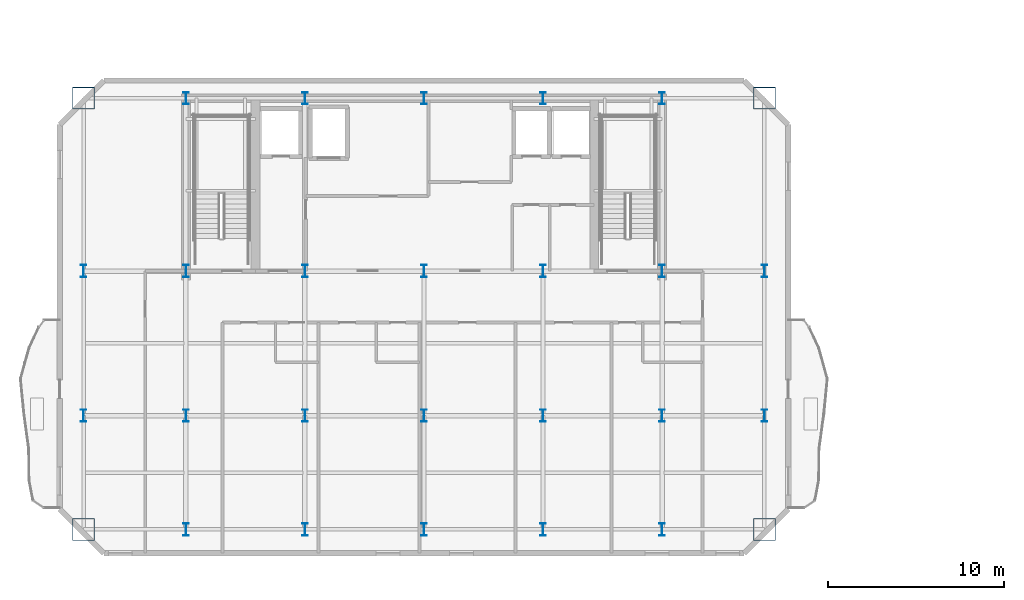
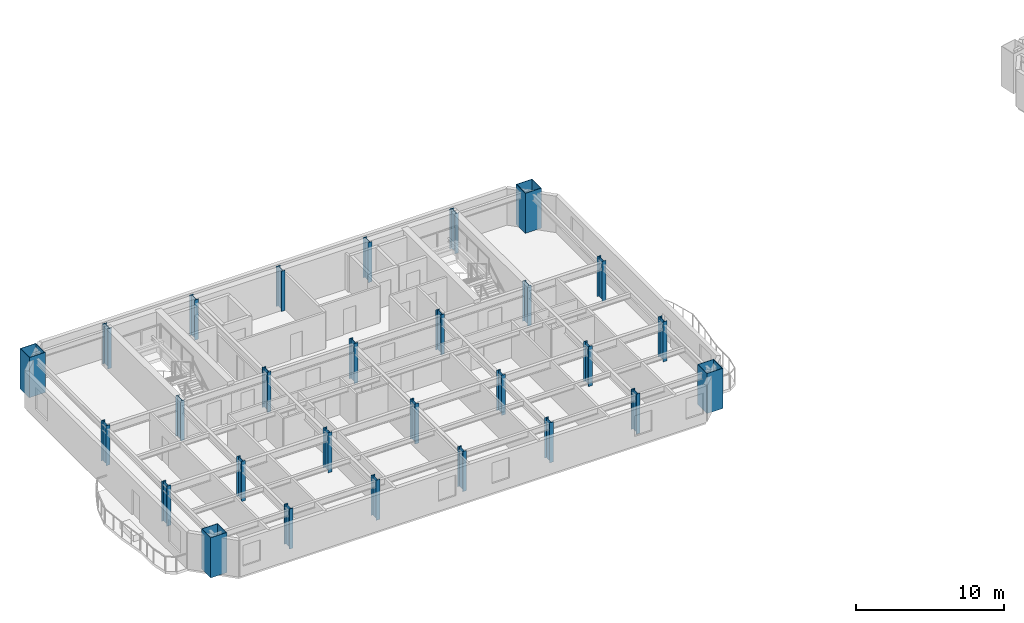
# One storey, part 1 of 13: 28 columns.
"""IFC4 building model written with IfcOpenShell, lengths in metres."""

from ifc_helpers import new_model, si_unit, direction, frame, origin, origin_2d, place, context, subcontext, project, spatial, hollow_rectangle, i_section, extrude, material, material_profile, profile_set, type_object, element, save


model = new_model("IFC4")

# Units and contexts
model_context = context("Model", 3, precision=1e-05, world=origin(), true_north=direction((0.0, 1.0)))
body_context = subcontext(model_context, "Body", "Model", "MODEL_VIEW")
ifc_project = project(units=[si_unit("LENGTHUNIT", "METRE"), si_unit("AREAUNIT", "SQUARE_METRE"), si_unit("VOLUMEUNIT", "CUBIC_METRE"), si_unit("PLANEANGLEUNIT", "RADIAN"), si_unit("MASSUNIT", "GRAM", prefix="KILO")], contexts=[model_context])

# Site, building, storey
site_placement = place(None, origin())
site = spatial("IfcSite", under=ifc_project, at=site_placement, CompositionType="ELEMENT")
building_placement = place(site_placement, origin())
building = spatial("IfcBuilding", under=site, at=building_placement, Name="Haevon Station Towers", CompositionType="ELEMENT")
storey_placement = place(building_placement, frame((0.0, 0.0, 189.0)))
storey = spatial("IfcBuildingStorey", under=building, at=storey_placement, Name="L52", CompositionType="ELEMENT", Elevation=189.0)

# Columns
ifc_material_1 = material(Name="Steel S460", Category="steel")
ifc_material_profile_1 = material_profile(ifc_material_1, hollow_rectangle(XDim=1.25, YDim=1.25, WallThickness=0.034912109375, at=origin_2d()), Name="BOX-1250x1250x35")
ifc_profile_set_1 = profile_set([ifc_material_profile_1], Name="Steel S460")
column_type_1 = type_object("IfcColumnType", Name="COL-MC4", PredefinedType="COLUMN", material=ifc_profile_set_1)
for number, where, z_axis, x_axis, name in (
    (1, (18.199951171875, 23.550048828125, 0.0), (0.0, 0.0, 1.0), (1.0, 0.0, 0.0), "COL-T1-L52-01-01"),
    (2, (18.199951171875, 48.0, 0.0), (0.0, 0.0, 1.0), (1.0, 0.0, 0.0), "COL-T1-L52-01-04"),
    (3, (56.800048828125, 23.550048828125, 0.0), (0.0, 0.0, 1.0), (1.0, 0.0, 0.0), "COL-T1-L52-07-01"),
    (4, (56.800048828125, 48.0, 0.0), (0.0, 0.0, 1.0), (1.0, 0.0, 0.0), "COL-T1-L52-07-04"),
):
    element("IfcColumn", number, at=place(storey_placement, frame(where, z_axis=z_axis, x_axis=x_axis)), inside=storey, type_object=column_type_1, Name=name, PredefinedType="COLUMN", context=body_context, shape_type="SweptSolid", body=[
        extrude(hollow_rectangle(XDim=1.25, YDim=1.25, WallThickness=0.034912109375, at=origin_2d()), origin(), (0.0, 0.0, 1.0), 3.300048828125),
    ])
ifc_material_2 = material(Name="Steel S355", Category="steel")
ifc_material_profile_2 = material_profile(ifc_material_2, i_section(OverallWidth=0.300048828125, OverallDepth=0.699951171875, WebThickness=0.01611328125, FlangeThickness=0.028076171875, at=origin_2d()), Name="H-700x300x16x28")
ifc_profile_set_2 = profile_set([ifc_material_profile_2], Name="Steel S355")
column_type_2 = type_object("IfcColumnType", Name="COL-TW3", PredefinedType="COLUMN", material=ifc_profile_set_2)
for number, where, z_axis, x_axis, name in (
    (5, (18.199951171875, 30.0, 0.0), (0.0, 0.0, 1.0), (1.0, 0.0, 0.0), "COL-T1-L52-01-02"),
    (6, (18.199951171875, 38.199951171875, 0.0), (0.0, 0.0, 1.0), (1.0, 0.0, 0.0), "COL-T1-L52-01-03"),
    (7, (24.0, 23.550048828125, 0.0), (0.0, 0.0, 1.0), (1.0, 0.0, 0.0), "COL-T1-L52-02-01"),
    (8, (24.0, 30.0, 0.0), (0.0, 0.0, 1.0), (1.0, 0.0, 0.0), "COL-T1-L52-02-02"),
    (9, (24.0, 38.199951171875, 0.0), (0.0, 0.0, 1.0), (1.0, 0.0, 0.0), "COL-T1-L52-02-03"),
    (10, (24.0, 48.0, 0.0), (0.0, 0.0, 1.0), (1.0, 0.0, 0.0), "COL-T1-L52-02-04"),
    (11, (30.75, 23.550048828125, 0.0), (0.0, 0.0, 1.0), (1.0, 0.0, 0.0), "COL-T1-L52-03-01"),
    (12, (30.75, 30.0, 0.0), (0.0, 0.0, 1.0), (1.0, 0.0, 0.0), "COL-T1-L52-03-02"),
    (13, (30.75, 38.199951171875, 0.0), (0.0, 0.0, 1.0), (1.0, 0.0, 0.0), "COL-T1-L52-03-03"),
    (14, (30.75, 48.0, 0.0), (0.0, 0.0, 1.0), (1.0, 0.0, 0.0), "COL-T1-L52-03-04"),
    (15, (37.5, 23.550048828125, 0.0), (0.0, 0.0, 1.0), (1.0, 0.0, 0.0), "COL-T1-L52-04-01"),
    (16, (37.5, 30.0, 0.0), (0.0, 0.0, 1.0), (1.0, 0.0, 0.0), "COL-T1-L52-04-02"),
    (17, (37.5, 38.199951171875, 0.0), (0.0, 0.0, 1.0), (1.0, 0.0, 0.0), "COL-T1-L52-04-03"),
    (18, (37.5, 48.0, 0.0), (0.0, 0.0, 1.0), (1.0, 0.0, 0.0), "COL-T1-L52-04-04"),
    (19, (44.25, 23.550048828125, 0.0), (0.0, 0.0, 1.0), (1.0, 0.0, 0.0), "COL-T1-L52-05-01"),
    (20, (44.25, 30.0, 0.0), (0.0, 0.0, 1.0), (1.0, 0.0, 0.0), "COL-T1-L52-05-02"),
    (21, (44.25, 38.199951171875, 0.0), (0.0, 0.0, 1.0), (1.0, 0.0, 0.0), "COL-T1-L52-05-03"),
    (22, (44.25, 48.0, 0.0), (0.0, 0.0, 1.0), (1.0, 0.0, 0.0), "COL-T1-L52-05-04"),
    (23, (51.0, 23.550048828125, 0.0), (0.0, 0.0, 1.0), (1.0, 0.0, 0.0), "COL-T1-L52-06-01"),
    (24, (51.0, 30.0, 0.0), (0.0, 0.0, 1.0), (1.0, 0.0, 0.0), "COL-T1-L52-06-02"),
    (25, (51.0, 38.199951171875, 0.0), (0.0, 0.0, 1.0), (1.0, 0.0, 0.0), "COL-T1-L52-06-03"),
    (26, (51.0, 48.0, 0.0), (0.0, 0.0, 1.0), (1.0, 0.0, 0.0), "COL-T1-L52-06-04"),
    (27, (56.800048828125, 30.0, 0.0), (0.0, 0.0, 1.0), (1.0, 0.0, 0.0), "COL-T1-L52-07-02"),
    (28, (56.800048828125, 38.199951171875, 0.0), (0.0, 0.0, 1.0), (1.0, 0.0, 0.0), "COL-T1-L52-07-03"),
):
    element("IfcColumn", number, at=place(storey_placement, frame(where, z_axis=z_axis, x_axis=x_axis)), inside=storey, type_object=column_type_2, Name=name, PredefinedType="COLUMN", context=body_context, shape_type="SweptSolid", body=[
        extrude(i_section(OverallWidth=0.300048828125, OverallDepth=0.699951171875, WebThickness=0.01611328125, FlangeThickness=0.028076171875, at=origin_2d()), origin(), (0.0, 0.0, 1.0), 3.300048828125),
    ])

save(model, "model.ifc")
